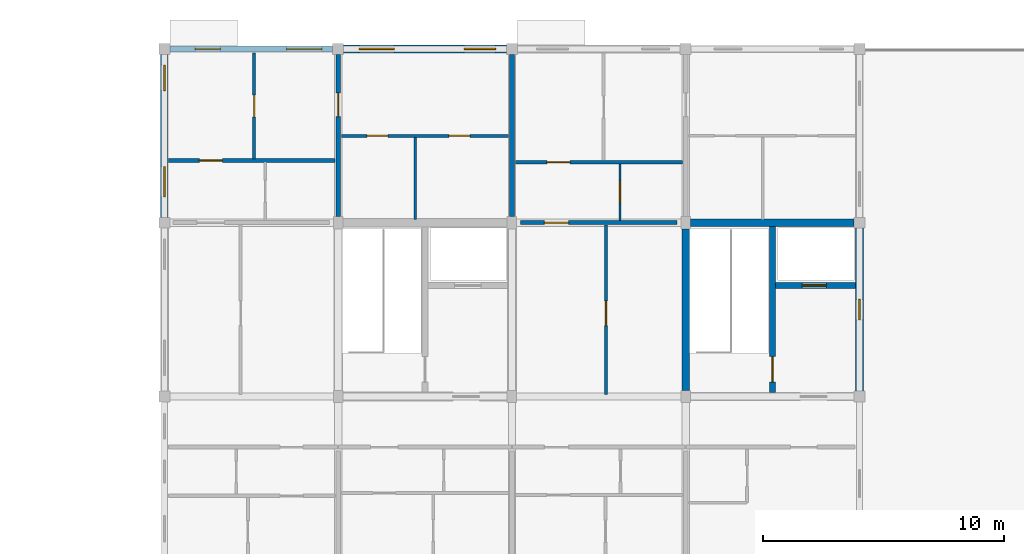
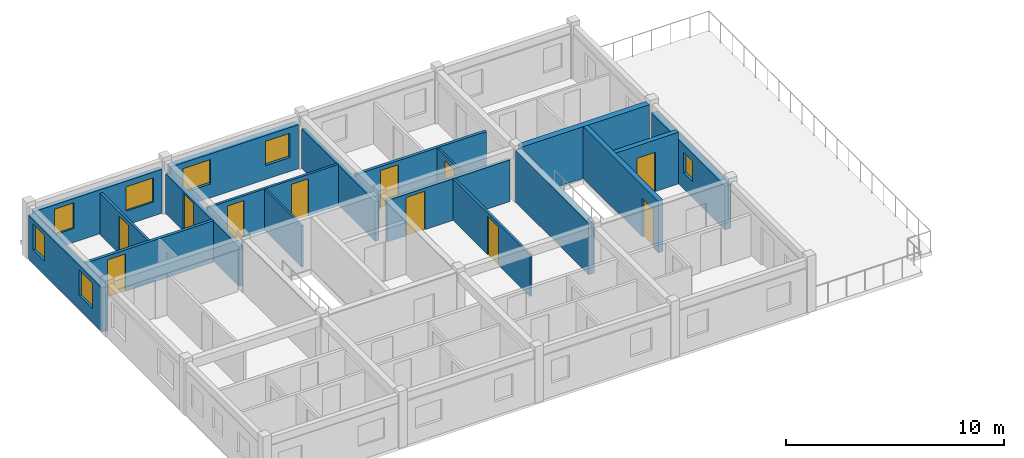
# One storey, part 19 of 23: 18 walls, 11 doors, 7 windows, 18 openings.
"""IFC4 building model written with IfcOpenShell, lengths in metres."""

from ifc_helpers import new_model, si_unit, direction, frame, frame_2d, origin, place, context, subcontext, project, spatial, rectangle, extrude, material, layer, layer_set, type_object, element, fill, save


model = new_model("IFC4")

# Units and contexts
model_context = context("Model", 3, precision=1e-05, world=origin(), true_north=direction((0.0, 1.0)))
body_context = subcontext(model_context, "Body", "Model", "MODEL_VIEW")
ifc_project = project(units=[si_unit("LENGTHUNIT", "METRE"), si_unit("AREAUNIT", "SQUARE_METRE"), si_unit("VOLUMEUNIT", "CUBIC_METRE"), si_unit("PLANEANGLEUNIT", "RADIAN"), si_unit("MASSUNIT", "GRAM", prefix="KILO"), si_unit("THERMODYNAMICTEMPERATUREUNIT", "KELVIN"), si_unit("POWERUNIT", "WATT")], contexts=[model_context])

# Site, building, storey
site_placement = place(None, origin())
site = spatial("IfcSite", under=ifc_project, at=site_placement, CompositionType="ELEMENT")
building_placement = place(site_placement, origin())
building = spatial("IfcBuilding", under=site, at=building_placement, Name="Tavuni Mirador Residences", CompositionType="ELEMENT")
storey_placement = place(building_placement, frame((0.0, 0.0, 42.300048828125)))
storey = spatial("IfcBuildingStorey", under=building, at=storey_placement, Name="L13", CompositionType="ELEMENT", Elevation=42.300048828125)

# Wall, opening, door
ifc_material_1 = material(Name="Precast concrete C40/50", Category="concrete")
ifc_layer_1 = layer(ifc_material_1, 0.25, Name="Precast concrete C40/50", Category="concrete")
ifc_layer_set_1 = layer_set([ifc_layer_1], Name="Precast concrete C40/50")
wall_type_1 = type_object("IfcWallType", Name="WT-COR250", PredefinedType="SHEAR", material=ifc_layer_set_1)
wall_1_placement = place(storey_placement, frame((43.199951171875, 158.56005859375, 0.0), z_axis=(0.0, 0.0, 1.0), x_axis=(0.0, 1.0, 0.0)))
wall_1 = element("IfcWall", 1, at=wall_1_placement, inside=storey, type_object=wall_type_1, Name="CWALL-C6-L13-MID", PredefinedType="SHEAR", context=body_context, shape_type="SweptSolid", body=[
    extrude(rectangle(XDim=6.8798828125, YDim=0.25, at=frame_2d((3.43994140625, 0.0))), origin(), (0.0, 0.0, 1.0), 2.889892578125),
])
opening_1_placement = place(wall_1_placement, frame((0.43994140625, 0.0, 0.0)))
opening_1 = element("IfcOpeningElement", 2, at=opening_1_placement, cuts=wall_1, Name="Opening D-01", PredefinedType="OPENING", context=body_context, shape_type="SweptSolid", body=[
    extrude(rectangle(XDim=1.050048828125, YDim=2.14990234375, at=frame_2d((0.52490234375, 1.074951171875))), frame((0.0, 0.135009765625, 0.0), z_axis=(0.0, -1.0, 0.0), x_axis=(1.0, 0.0, 0.0)), (0.0, 0.0, 1.0), 0.27001953125),
])
ifc_material_2 = material(Name="Solid core iroko timber", Category="wood")
door_type_1 = type_object("IfcDoorType", Name="DT-ST1050", OperationType="NOTDEFINED", PredefinedType="DOOR", material=ifc_material_2)
door_1_placement = place(opening_1_placement, origin())
door_1 = element("IfcDoor", 3, at=door_1_placement, inside=storey, type_object=door_type_1, Name="DR-2259", OperationType="SINGLE_SWING_LEFT", OverallHeight=2.14990234375, OverallWidth=1.050048828125, PredefinedType="DOOR", context=body_context, shape_type="SweptSolid", body=[
    extrude(rectangle(XDim=1.050048828125, YDim=2.14990234375, at=frame_2d((0.52490234375, 1.074951171875))), frame((0.0, 0.02490234375, 0.0), z_axis=(0.0, -1.0, 0.0), x_axis=(1.0, 0.0, 0.0)), (0.0, 0.0, 1.0), 0.050048828125),
])
fill(opening_1, door_1)

wall_2_placement = place(storey_placement, frame((43.324951171875, 163.0, 0.0), z_axis=(0.0, 0.0, 1.0), x_axis=(1.0, 0.0, 0.0)))
wall_2 = element("IfcWall", 4, at=wall_2_placement, inside=storey, type_object=wall_type_1, Name="CWALL-C6-L13-SHF", PredefinedType="SHEAR", context=body_context, shape_type="SweptSolid", body=[
    extrude(rectangle(XDim=3.31494140625, YDim=0.25, at=frame_2d((1.657470703125, 0.0))), origin(), (0.0, 0.0, 1.0), 2.889892578125),
])
opening_2_placement = place(wall_2_placement, frame((1.10009765625, 0.0, 0.0)))
opening_2 = element("IfcOpeningElement", 5, at=opening_2_placement, cuts=wall_2, Name="Opening LD-02", PredefinedType="OPENING", context=body_context, shape_type="SweptSolid", body=[
    extrude(rectangle(XDim=1.0, YDim=2.199951171875, at=frame_2d((0.5, 1.10009765625))), frame((0.0, 0.135009765625, 0.0), z_axis=(0.0, -1.0, 0.0), x_axis=(1.0, 0.0, 0.0)), (0.0, 0.0, 1.0), 0.27001953125),
])
ifc_material_3 = material(Name="Structural steel S355", Category="steel")
door_type_2 = type_object("IfcDoorType", Name="DT-LD-PAX", OperationType="SLIDING_TO_LEFT", PredefinedType="DOOR", material=ifc_material_3)
door_2_placement = place(opening_2_placement, origin())
door_2 = element("IfcDoor", 6, at=door_2_placement, inside=storey, type_object=door_type_2, Name="Lift landing door PL-C1 L13", OperationType="SLIDING_TO_LEFT", OverallHeight=2.199951171875, OverallWidth=1.0, PredefinedType="DOOR", context=body_context, shape_type="SweptSolid", body=[
    extrude(rectangle(XDim=1.0, YDim=2.199951171875, at=frame_2d((0.5, 1.10009765625))), frame((0.0, 0.02490234375, 0.0), z_axis=(0.0, -1.0, 0.0), x_axis=(1.0, 0.0, 0.0)), (0.0, 0.0, 1.0), 0.050048828125),
])
fill(opening_2, door_2)

# Walls
ifc_layer_2 = layer(ifc_material_1, 0.320068359375, Name="Precast concrete C40/50", Category="concrete")
ifc_layer_set_2 = layer_set([ifc_layer_2], Name="Precast concrete C40/50")
wall_type_2 = type_object("IfcWallType", Name="WT-COR320", PredefinedType="SHEAR", material=ifc_layer_set_2)
wall_3_placement = place(storey_placement, frame((39.60009765625, 158.64990234375, 0.0), z_axis=(0.0, 0.0, 1.0), x_axis=(0.0, 1.0, 0.0)))
element("IfcWall", 7, at=wall_3_placement, inside=storey, type_object=wall_type_2, Name="CWALL-C6-L13-W", PredefinedType="SHEAR", context=body_context, shape_type="SweptSolid", body=[
    extrude(rectangle(XDim=6.7001953125, YDim=0.320068359375, at=frame_2d((3.35009765625, 0.0))), origin(), (0.0, 0.0, 1.0), 2.889892578125),
])
wall_4_placement = place(storey_placement, frame((39.800048828125, 165.60009765625, 0.0), z_axis=(0.0, 0.0, 1.0), x_axis=(1.0, 0.0, 0.0)))
element("IfcWall", 8, at=wall_4_placement, inside=storey, type_object=wall_type_2, Name="CWALL-C6-L13-N", PredefinedType="SHEAR", context=body_context, shape_type="SweptSolid", body=[
    extrude(rectangle(XDim=6.77490234375, YDim=0.320068359375, at=frame_2d((3.387451171875, 0.0))), origin(), (0.0, 0.0, 1.0), 2.889892578125),
])

# Wall, opening, door
ifc_layer_3 = layer(ifc_material_1, 0.1650390625, Name="Precast concrete C40/50", Category="concrete")
ifc_layer_set_3 = layer_set([ifc_layer_3], Name="Precast concrete C40/50")
wall_type_3 = type_object("IfcWallType", Name="WT-CORR165", PredefinedType="PARTITIONING", material=ifc_layer_set_3)
wall_5_placement = place(storey_placement, frame((32.75, 165.60009765625, 0.0), z_axis=(0.0, 0.0, 1.0), x_axis=(1.0, 0.0, 0.0)))
wall_5 = element("IfcWall", 9, at=wall_5_placement, inside=storey, type_object=wall_type_3, Name="CORW-BLK-C-L13-1-02", PredefinedType="PARTITIONING", context=body_context, shape_type="SweptSolid", body=[
    extrude(rectangle(XDim=6.5, YDim=0.1650390625, at=frame_2d((3.25, 0.0))), origin(), (0.0, 0.0, 1.0), 2.324951171875),
])
opening_3_placement = place(wall_5_placement, frame((1.0, 0.0, 0.0)))
opening_3 = element("IfcOpeningElement", 10, at=opening_3_placement, cuts=wall_5, Name="Opening D-03", PredefinedType="OPENING", context=body_context, shape_type="SweptSolid", body=[
    extrude(rectangle(XDim=1.0, YDim=2.14990234375, at=frame_2d((0.5, 1.074951171875))), frame((0.0, 0.092529296875, 0.0), z_axis=(0.0, -1.0, 0.0), x_axis=(1.0, 0.0, 0.0)), (0.0, 0.0, 1.0), 0.18505859375),
])
door_type_3 = type_object("IfcDoorType", Name="DT-FD60-1000", OperationType="NOTDEFINED", PredefinedType="DOOR", material=ifc_material_2)
door_3_placement = place(opening_3_placement, origin())
door_3 = element("IfcDoor", 11, at=door_3_placement, inside=storey, type_object=door_type_3, Name="DR-2796", OperationType="SINGLE_SWING_LEFT", OverallHeight=2.14990234375, OverallWidth=1.0, PredefinedType="DOOR", context=body_context, shape_type="SweptSolid", body=[
    extrude(rectangle(XDim=1.0, YDim=2.14990234375, at=frame_2d((0.5, 1.074951171875))), frame((0.0, 0.02490234375, 0.0), z_axis=(0.0, -1.0, 0.0), x_axis=(1.0, 0.0, 0.0)), (0.0, 0.0, 1.0), 0.050048828125),
])
fill(opening_3, door_3)

# Wall, opening, window
ifc_layer_4 = layer(ifc_material_1, 0.330078125, Name="Precast concrete C40/50", Category="concrete")
ifc_layer_set_4 = layer_set([ifc_layer_4], Name="Precast concrete C40/50")
wall_type_4 = type_object("IfcWallType", Name="WT-EXT-COR330", PredefinedType="SOLIDWALL", material=ifc_layer_set_4)
wall_6_placement = place(storey_placement, frame((46.800048828125, 158.625, 0.0), z_axis=(0.0, 0.0, 1.0), x_axis=(0.0, 1.0, 0.0)))
wall_6 = element("IfcWall", 12, at=wall_6_placement, inside=storey, type_object=wall_type_4, Name="EW-BLK-C-L13-E01", PredefinedType="SOLIDWALL", context=body_context, shape_type="SweptSolid", body=[
    extrude(rectangle(XDim=6.75, YDim=0.330078125, at=frame_2d((3.375, 0.0))), origin(), (0.0, 0.0, 1.0), 2.4599609375),
])
opening_4_placement = place(wall_6_placement, frame((2.949951171875, 0.0, 0.89990234375)))
opening_4 = element("IfcOpeningElement", 13, at=opening_4_placement, cuts=wall_6, Name="Opening WN-01", PredefinedType="OPENING", context=body_context, shape_type="SweptSolid", body=[
    extrude(rectangle(XDim=0.85009765625, YDim=1.14990234375, at=frame_2d((0.425048828125, 0.574951171875))), frame((0.0, 0.175048828125, 0.0), z_axis=(0.0, -1.0, 0.0), x_axis=(1.0, 0.0, 0.0)), (0.0, 0.0, 1.0), 0.35009765625),
])
ifc_material_4 = material(Name="Laminated solar-control glass", Category="glass")
window_type_1 = type_object("IfcWindowType", Name="WNT-01", PartitioningType="SINGLE_PANEL", PredefinedType="WINDOW", material=ifc_material_4)
window_1_placement = place(opening_4_placement, origin())
window_1 = element("IfcWindow", 14, at=window_1_placement, inside=storey, type_object=window_type_1, Name="WIN-1381", OverallHeight=1.14990234375, OverallWidth=0.85009765625, PartitioningType="SINGLE_PANEL", PredefinedType="WINDOW", context=body_context, shape_type="SweptSolid", body=[
    extrude(rectangle(XDim=0.85009765625, YDim=1.14990234375, at=frame_2d((0.425048828125, 0.574951171875))), frame((0.0, 0.030029296875, 0.0), z_axis=(0.0, -1.0, 0.0), x_axis=(1.0, 0.0, 0.0)), (0.0, 0.0, 1.0), 0.06005859375),
])
fill(opening_4, window_1)

# Wall, openings, windows
wall_7_placement = place(storey_placement, frame((32.175048828125, 172.800048828125, 0.0), z_axis=(0.0, 0.0, 1.0), x_axis=(-1.0, 0.0, 0.0)))
wall_7 = element("IfcWall", 15, at=wall_7_placement, inside=storey, type_object=wall_type_4, Name="EW-BLK-C-L13-N01", PredefinedType="SOLIDWALL", context=body_context, shape_type="SweptSolid", body=[
    extrude(rectangle(XDim=6.75, YDim=0.330078125, at=frame_2d((3.375, 0.0))), origin(), (0.0, 0.0, 1.0), 2.4599609375),
])
opening_5_placement = place(wall_7_placement, frame((0.449951171875, 0.0, 0.780029296875)))
opening_5 = element("IfcOpeningElement", 16, at=opening_5_placement, cuts=wall_7, Name="Opening WN-22", PredefinedType="OPENING", context=body_context, shape_type="SweptSolid", body=[
    extrude(rectangle(XDim=1.300048828125, YDim=1.360107421875, at=frame_2d((0.64990234375, 0.68017578125))), frame((0.0, 0.175048828125, 0.0), z_axis=(0.0, -1.0, 0.0), x_axis=(1.0, 0.0, 0.0)), (0.0, 0.0, 1.0), 0.35009765625),
])
opening_6_placement = place(wall_7_placement, frame((4.64990234375, 0.0, 0.780029296875)))
opening_6 = element("IfcOpeningElement", 17, at=opening_6_placement, cuts=wall_7, Name="Opening WN-24", PredefinedType="OPENING", context=body_context, shape_type="SweptSolid", body=[
    extrude(rectangle(XDim=1.4599609375, YDim=1.360107421875, at=frame_2d((0.72998046875, 0.68017578125))), frame((0.0, 0.175048828125, 0.0), z_axis=(0.0, -1.0, 0.0), x_axis=(1.0, 0.0, 0.0)), (0.0, 0.0, 1.0), 0.35009765625),
])
window_type_2 = type_object("IfcWindowType", Name="WNT-22", PartitioningType="SINGLE_PANEL", PredefinedType="WINDOW", material=ifc_material_4)
window_2_placement = place(opening_5_placement, origin())
window_2 = element("IfcWindow", 18, at=window_2_placement, inside=storey, type_object=window_type_2, Name="WIN-1388", OverallHeight=1.360107421875, OverallWidth=1.300048828125, PartitioningType="SINGLE_PANEL", PredefinedType="WINDOW", context=body_context, shape_type="SweptSolid", body=[
    extrude(rectangle(XDim=1.300048828125, YDim=1.360107421875, at=frame_2d((0.64990234375, 0.68017578125))), frame((0.0, 0.030029296875, 0.0), z_axis=(0.0, -1.0, 0.0), x_axis=(1.0, 0.0, 0.0)), (0.0, 0.0, 1.0), 0.06005859375),
])
fill(opening_5, window_2)
window_type_3 = type_object("IfcWindowType", Name="WNT-24", PartitioningType="SINGLE_PANEL", PredefinedType="WINDOW", material=ifc_material_4)
window_3_placement = place(opening_6_placement, origin())
window_3 = element("IfcWindow", 19, at=window_3_placement, inside=storey, type_object=window_type_3, Name="WIN-1389", OverallHeight=1.360107421875, OverallWidth=1.4599609375, PartitioningType="SINGLE_PANEL", PredefinedType="WINDOW", context=body_context, shape_type="SweptSolid", body=[
    extrude(rectangle(XDim=1.4599609375, YDim=1.360107421875, at=frame_2d((0.72998046875, 0.68017578125))), frame((0.0, 0.030029296875, 0.0), z_axis=(0.0, -1.0, 0.0), x_axis=(1.0, 0.0, 0.0)), (0.0, 0.0, 1.0), 0.06005859375),
])
fill(opening_6, window_3)

ifc_material_5 = material(Name="Sgraffito lime-rendered precast concrete C40/50", Category="concrete")
ifc_layer_5 = layer(ifc_material_5, 0.2451171875, Name="Sgraffito lime-rendered precast concrete C40/50", Category="concrete")
ifc_layer_set_5 = layer_set([ifc_layer_5], Name="Sgraffito lime-rendered precast concrete C40/50")
wall_type_5 = type_object("IfcWallType", Name="WT-EXT-PC245", PredefinedType="SOLIDWALL", material=ifc_layer_set_5)
wall_8_placement = place(storey_placement, frame((24.97509765625, 172.800048828125, 0.0), z_axis=(0.0, 0.0, 1.0), x_axis=(-1.0, 0.0, 0.0)))
wall_8 = element("IfcWall", 20, at=wall_8_placement, inside=storey, type_object=wall_type_5, Name="EW-BLK-C-L13-N00", PredefinedType="SOLIDWALL", context=body_context, shape_type="SweptSolid", body=[
    extrude(rectangle(XDim=6.75, YDim=0.2451171875, at=frame_2d((3.375, 0.0))), origin(), (0.0, 0.0, 1.0), 2.4599609375),
])
opening_7_placement = place(wall_8_placement, frame((0.449951171875, 0.0, 0.780029296875)))
opening_7 = element("IfcOpeningElement", 21, at=opening_7_placement, cuts=wall_8, Name="Opening WN-24", PredefinedType="OPENING", context=body_context, shape_type="SweptSolid", body=[
    extrude(rectangle(XDim=1.4599609375, YDim=1.360107421875, at=frame_2d((0.72998046875, 0.68017578125))), frame((0.0, 0.132568359375, 0.0), z_axis=(0.0, -1.0, 0.0), x_axis=(1.0, 0.0, 0.0)), (0.0, 0.0, 1.0), 0.26513671875),
])
opening_8_placement = place(wall_8_placement, frame((4.64990234375, 0.0, 0.780029296875)))
opening_8 = element("IfcOpeningElement", 22, at=opening_8_placement, cuts=wall_8, Name="Opening WN-26", PredefinedType="OPENING", context=body_context, shape_type="SweptSolid", body=[
    extrude(rectangle(XDim=1.050048828125, YDim=1.43994140625, at=frame_2d((0.52490234375, 0.719970703125))), frame((0.0, 0.132568359375, 0.0), z_axis=(0.0, -1.0, 0.0), x_axis=(1.0, 0.0, 0.0)), (0.0, 0.0, 1.0), 0.26513671875),
])
window_4_placement = place(opening_7_placement, origin())
window_4 = element("IfcWindow", 23, at=window_4_placement, inside=storey, type_object=window_type_3, Name="WIN-1390", OverallHeight=1.360107421875, OverallWidth=1.4599609375, PartitioningType="SINGLE_PANEL", PredefinedType="WINDOW", context=body_context, shape_type="SweptSolid", body=[
    extrude(rectangle(XDim=1.4599609375, YDim=1.360107421875, at=frame_2d((0.72998046875, 0.68017578125))), frame((0.0, 0.030029296875, 0.0), z_axis=(0.0, -1.0, 0.0), x_axis=(1.0, 0.0, 0.0)), (0.0, 0.0, 1.0), 0.06005859375),
])
fill(opening_7, window_4)
window_type_4 = type_object("IfcWindowType", Name="WNT-26", PartitioningType="SINGLE_PANEL", PredefinedType="WINDOW", material=ifc_material_4)
window_5_placement = place(opening_8_placement, origin())
window_5 = element("IfcWindow", 24, at=window_5_placement, inside=storey, type_object=window_type_4, Name="WIN-1391", OverallHeight=1.43994140625, OverallWidth=1.050048828125, PartitioningType="SINGLE_PANEL", PredefinedType="WINDOW", context=body_context, shape_type="SweptSolid", body=[
    extrude(rectangle(XDim=1.050048828125, YDim=1.43994140625, at=frame_2d((0.52490234375, 0.719970703125))), frame((0.0, 0.030029296875, 0.0), z_axis=(0.0, -1.0, 0.0), x_axis=(1.0, 0.0, 0.0)), (0.0, 0.0, 1.0), 0.06005859375),
])
fill(opening_8, window_5)

ifc_layer_6 = layer(ifc_material_5, 0.31494140625, Name="Sgraffito lime-rendered precast concrete C40/50", Category="concrete")
ifc_layer_set_6 = layer_set([ifc_layer_6], Name="Sgraffito lime-rendered precast concrete C40/50")
wall_type_6 = type_object("IfcWallType", Name="WT-EXT-PC315", PredefinedType="SOLIDWALL", material=ifc_layer_set_6)
wall_9_placement = place(storey_placement, frame((18.0, 172.574951171875, 0.0), z_axis=(0.0, 0.0, 1.0), x_axis=(0.0, -1.0, 0.0)))
wall_9 = element("IfcWall", 25, at=wall_9_placement, inside=storey, type_object=wall_type_6, Name="EW-BLK-C-L13-W02", PredefinedType="SOLIDWALL", context=body_context, shape_type="SweptSolid", body=[
    extrude(rectangle(XDim=6.75, YDim=0.31494140625, at=frame_2d((3.375, 0.0))), origin(), (0.0, 0.0, 1.0), 2.4599609375),
])
opening_9_placement = place(wall_9_placement, frame((0.449951171875, 0.0, 0.780029296875)))
opening_9 = element("IfcOpeningElement", 26, at=opening_9_placement, cuts=wall_9, Name="Opening WN-26", PredefinedType="OPENING", context=body_context, shape_type="SweptSolid", body=[
    extrude(rectangle(XDim=1.050048828125, YDim=1.43994140625, at=frame_2d((0.52490234375, 0.719970703125))), frame((0.0, 0.16748046875, 0.0), z_axis=(0.0, -1.0, 0.0), x_axis=(1.0, 0.0, 0.0)), (0.0, 0.0, 1.0), 0.3349609375),
])
opening_10_placement = place(wall_9_placement, frame((4.64990234375, 0.0, 0.780029296875)))
opening_10 = element("IfcOpeningElement", 27, at=opening_10_placement, cuts=wall_9, Name="Opening WN-28", PredefinedType="OPENING", context=body_context, shape_type="SweptSolid", body=[
    extrude(rectangle(XDim=1.25, YDim=1.43994140625, at=frame_2d((0.625, 0.719970703125))), frame((0.0, 0.16748046875, 0.0), z_axis=(0.0, -1.0, 0.0), x_axis=(1.0, 0.0, 0.0)), (0.0, 0.0, 1.0), 0.3349609375),
])
window_6_placement = place(opening_9_placement, origin())
window_6 = element("IfcWindow", 28, at=window_6_placement, inside=storey, type_object=window_type_4, Name="WIN-1392", OverallHeight=1.43994140625, OverallWidth=1.050048828125, PartitioningType="SINGLE_PANEL", PredefinedType="WINDOW", context=body_context, shape_type="SweptSolid", body=[
    extrude(rectangle(XDim=1.050048828125, YDim=1.43994140625, at=frame_2d((0.52490234375, 0.719970703125))), frame((0.0, 0.030029296875, 0.0), z_axis=(0.0, -1.0, 0.0), x_axis=(1.0, 0.0, 0.0)), (0.0, 0.0, 1.0), 0.06005859375),
])
fill(opening_9, window_6)
window_type_5 = type_object("IfcWindowType", Name="WNT-28", PartitioningType="SINGLE_PANEL", PredefinedType="WINDOW", material=ifc_material_4)
window_7_placement = place(opening_10_placement, origin())
window_7 = element("IfcWindow", 29, at=window_7_placement, inside=storey, type_object=window_type_5, Name="WIN-1393", OverallHeight=1.43994140625, OverallWidth=1.25, PartitioningType="SINGLE_PANEL", PredefinedType="WINDOW", context=body_context, shape_type="SweptSolid", body=[
    extrude(rectangle(XDim=1.25, YDim=1.43994140625, at=frame_2d((0.625, 0.719970703125))), frame((0.0, 0.030029296875, 0.0), z_axis=(0.0, -1.0, 0.0), x_axis=(1.0, 0.0, 0.0)), (0.0, 0.0, 1.0), 0.06005859375),
])
fill(opening_10, window_7)

# Wall
ifc_material_6 = material(Name="Acoustic gypsum and concrete block partition", Category="concrete")
ifc_layer_7 = layer(ifc_material_6, 0.094970703125, Name="Acoustic gypsum and concrete block partition", Category="concrete")
ifc_layer_set_7 = layer_set([ifc_layer_7], Name="Acoustic gypsum and concrete block partition")
wall_type_7 = type_object("IfcWallType", Name="WT-PART095", PredefinedType="PARTITIONING", material=ifc_layer_set_7)
wall_10_placement = place(storey_placement, frame((28.39990234375, 165.739990234375, 0.0), z_axis=(0.0, 0.0, 1.0), x_axis=(0.0, 1.0, 0.0)))
element("IfcWall", 30, at=wall_10_placement, inside=storey, type_object=wall_type_7, Name="PW-BLK-C-L13-NC01-V", PredefinedType="PARTITIONING", context=body_context, shape_type="SweptSolid", body=[
    extrude(rectangle(XDim=3.389892578125, YDim=0.094970703125, at=frame_2d((1.69482421875, 0.0))), origin(), (0.0, 0.0, 1.0), 2.324951171875),
])

# Wall, opening, door
wall_11_placement = place(storey_placement, frame((36.8798828125, 165.68994140625, 0.0), z_axis=(0.0, 0.0, 1.0), x_axis=(0.0, 1.0, 0.0)))
wall_11 = element("IfcWall", 31, at=wall_11_placement, inside=storey, type_object=wall_type_7, Name="PW-BLK-C-L13-N02-IN1", PredefinedType="PARTITIONING", context=body_context, shape_type="SweptSolid", body=[
    extrude(rectangle(XDim=2.340087890625, YDim=0.094970703125, at=frame_2d((1.169921875, 0.0))), origin(), (0.0, 0.0, 1.0), 2.324951171875),
])
opening_11_placement = place(wall_11_placement, frame((0.719970703125, 0.0, 0.0)))
opening_11 = element("IfcOpeningElement", 32, at=opening_11_placement, cuts=wall_11, Name="Opening D-09", PredefinedType="OPENING", context=body_context, shape_type="SweptSolid", body=[
    extrude(rectangle(XDim=0.89990234375, YDim=2.050048828125, at=frame_2d((0.449951171875, 1.02490234375))), frame((0.0, 0.0576171875, 0.0), z_axis=(0.0, -1.0, 0.0), x_axis=(1.0, 0.0, 0.0)), (0.0, 0.0, 1.0), 0.114990234375),
])
door_type_4 = type_object("IfcDoorType", Name="DT-WC900", OperationType="NOTDEFINED", PredefinedType="DOOR", material=ifc_material_2)
door_4_placement = place(opening_11_placement, origin())
door_4 = element("IfcDoor", 33, at=door_4_placement, inside=storey, type_object=door_type_4, Name="DR-4275", OperationType="SINGLE_SWING_LEFT", OverallHeight=2.050048828125, OverallWidth=0.89990234375, PredefinedType="DOOR", context=body_context, shape_type="SweptSolid", body=[
    extrude(rectangle(XDim=0.89990234375, YDim=2.050048828125, at=frame_2d((0.449951171875, 1.02490234375))), frame((0.0, 0.02490234375, 0.0), z_axis=(0.0, -1.0, 0.0), x_axis=(1.0, 0.0, 0.0)), (0.0, 0.0, 1.0), 0.050048828125),
])
fill(opening_11, door_4)

ifc_layer_8 = layer(ifc_material_6, 0.125, Name="Acoustic gypsum and concrete block partition", Category="concrete")
ifc_layer_set_8 = layer_set([ifc_layer_8], Name="Acoustic gypsum and concrete block partition")
wall_type_8 = type_object("IfcWallType", Name="WT-PART125", PredefinedType="PARTITIONING", material=ifc_layer_set_8)
wall_12_placement = place(storey_placement, frame((21.719970703125, 168.25, 0.0), z_axis=(0.0, 0.0, 1.0), x_axis=(0.0, 1.0, 0.0)))
wall_12 = element("IfcWall", 34, at=wall_12_placement, inside=storey, type_object=wall_type_8, Name="PW-BLK-C-L13-N00-OUT", PredefinedType="PARTITIONING", context=body_context, shape_type="SweptSolid", body=[
    extrude(rectangle(XDim=4.375, YDim=0.125, at=frame_2d((2.1875, 0.0))), origin(), (0.0, 0.0, 1.0), 2.324951171875),
])
opening_12_placement = place(wall_12_placement, frame((1.737548828125, 0.0, 0.0)))
opening_12 = element("IfcOpeningElement", 35, at=opening_12_placement, cuts=wall_12, Name="Opening D-07", PredefinedType="OPENING", context=body_context, shape_type="SweptSolid", body=[
    extrude(rectangle(XDim=0.89990234375, YDim=2.10009765625, at=frame_2d((0.449951171875, 1.050048828125))), frame((0.0, 0.072509765625, 0.0), z_axis=(0.0, -1.0, 0.0), x_axis=(1.0, 0.0, 0.0)), (0.0, 0.0, 1.0), 0.14501953125),
])
door_type_5 = type_object("IfcDoorType", Name="DT-BED900", OperationType="NOTDEFINED", PredefinedType="DOOR", material=ifc_material_2)
door_5_placement = place(opening_12_placement, origin())
door_5 = element("IfcDoor", 36, at=door_5_placement, inside=storey, type_object=door_type_5, Name="DR-4262", OperationType="SINGLE_SWING_RIGHT", OverallHeight=2.10009765625, OverallWidth=0.89990234375, PredefinedType="DOOR", context=body_context, shape_type="SweptSolid", body=[
    extrude(rectangle(XDim=0.89990234375, YDim=2.10009765625, at=frame_2d((0.449951171875, 1.050048828125))), frame((0.0, 0.02490234375, 0.0), z_axis=(0.0, -1.0, 0.0), x_axis=(1.0, 0.0, 0.0)), (0.0, 0.0, 1.0), 0.050048828125),
])
fill(opening_12, door_5)

# Wall, openings, doors
wall_13_placement = place(storey_placement, frame((25.340087890625, 169.199951171875, 0.0), z_axis=(0.0, 0.0, 1.0), x_axis=(1.0, 0.0, 0.0)))
wall_13 = element("IfcWall", 37, at=wall_13_placement, inside=storey, type_object=wall_type_8, Name="PW-BLK-C-L13-NC01-M", PredefinedType="PARTITIONING", context=body_context, shape_type="SweptSolid", body=[
    extrude(rectangle(XDim=6.919921875, YDim=0.125, at=frame_2d((3.4599609375, 0.0))), origin(), (0.0, 0.0, 1.0), 2.324951171875),
])
opening_13_placement = place(wall_13_placement, frame((1.050048828125, 0.0, 0.0)))
opening_13 = element("IfcOpeningElement", 38, at=opening_13_placement, cuts=wall_13, Name="Opening D-10", PredefinedType="OPENING", context=body_context, shape_type="SweptSolid", body=[
    extrude(rectangle(XDim=0.8701171875, YDim=2.050048828125, at=frame_2d((0.43505859375, 1.02490234375))), frame((0.0, 0.072509765625, 0.0), z_axis=(0.0, -1.0, 0.0), x_axis=(1.0, 0.0, 0.0)), (0.0, 0.0, 1.0), 0.14501953125),
])
opening_14_placement = place(wall_13_placement, frame((4.449951171875, 0.0, 0.0)))
opening_14 = element("IfcOpeningElement", 39, at=opening_14_placement, cuts=wall_13, Name="Opening D-08", PredefinedType="OPENING", context=body_context, shape_type="SweptSolid", body=[
    extrude(rectangle(XDim=0.8798828125, YDim=2.080078125, at=frame_2d((0.43994140625, 1.0400390625))), frame((0.0, 0.072509765625, 0.0), z_axis=(0.0, -1.0, 0.0), x_axis=(1.0, 0.0, 0.0)), (0.0, 0.0, 1.0), 0.14501953125),
])
door_type_6 = type_object("IfcDoorType", Name="DT-BED880", OperationType="NOTDEFINED", PredefinedType="DOOR", material=ifc_material_2)
door_6_placement = place(opening_14_placement, origin())
door_6 = element("IfcDoor", 40, at=door_6_placement, inside=storey, type_object=door_type_6, Name="DR-4269", OperationType="SINGLE_SWING_RIGHT", OverallHeight=2.080078125, OverallWidth=0.8798828125, PredefinedType="DOOR", context=body_context, shape_type="SweptSolid", body=[
    extrude(rectangle(XDim=0.8798828125, YDim=2.080078125, at=frame_2d((0.43994140625, 1.0400390625))), frame((0.0, 0.02490234375, 0.0), z_axis=(0.0, -1.0, 0.0), x_axis=(1.0, 0.0, 0.0)), (0.0, 0.0, 1.0), 0.050048828125),
])
fill(opening_14, door_6)
door_type_7 = type_object("IfcDoorType", Name="DT-WC870", OperationType="NOTDEFINED", PredefinedType="DOOR", material=ifc_material_2)
door_7_placement = place(opening_13_placement, origin())
door_7 = element("IfcDoor", 41, at=door_7_placement, inside=storey, type_object=door_type_7, Name="DR-4268", OperationType="SINGLE_SWING_LEFT", OverallHeight=2.050048828125, OverallWidth=0.8701171875, PredefinedType="DOOR", context=body_context, shape_type="SweptSolid", body=[
    extrude(rectangle(XDim=0.8701171875, YDim=2.050048828125, at=frame_2d((0.43505859375, 1.02490234375))), frame((0.0, 0.02490234375, 0.0), z_axis=(0.0, -1.0, 0.0), x_axis=(1.0, 0.0, 0.0)), (0.0, 0.0, 1.0), 0.050048828125),
])
fill(opening_13, door_7)

# Wall, opening, door
wall_14_placement = place(storey_placement, frame((36.300048828125, 158.489990234375, 0.0), z_axis=(0.0, 0.0, 1.0), x_axis=(0.0, 1.0, 0.0)))
wall_14 = element("IfcWall", 42, at=wall_14_placement, inside=storey, type_object=wall_type_8, Name="PW-SPN-BLK-C-L13-02", PredefinedType="PARTITIONING", context=body_context, shape_type="SweptSolid", body=[
    extrude(rectangle(XDim=7.02001953125, YDim=0.125, at=frame_2d((3.510009765625, 0.0))), origin(), (0.0, 0.0, 1.0), 2.324951171875),
])
opening_15_placement = place(wall_14_placement, frame((2.85009765625, 0.0, 0.0)))
opening_15 = element("IfcOpeningElement", 43, at=opening_15_placement, cuts=wall_14, Name="Opening D-13", PredefinedType="OPENING", context=body_context, shape_type="SweptSolid", body=[
    extrude(rectangle(XDim=1.02001953125, YDim=2.14990234375, at=frame_2d((0.510009765625, 1.074951171875))), frame((0.0, 0.072509765625, 0.0), z_axis=(0.0, -1.0, 0.0), x_axis=(1.0, 0.0, 0.0)), (0.0, 0.0, 1.0), 0.14501953125),
])
door_type_8 = type_object("IfcDoorType", Name="DT-MTG1020", OperationType="NOTDEFINED", PredefinedType="DOOR", material=ifc_material_2)
door_8_placement = place(opening_15_placement, origin())
door_8 = element("IfcDoor", 44, at=door_8_placement, inside=storey, type_object=door_type_8, Name="DR-4270", OperationType="SINGLE_SWING_RIGHT", OverallHeight=2.14990234375, OverallWidth=1.02001953125, PredefinedType="DOOR", context=body_context, shape_type="SweptSolid", body=[
    extrude(rectangle(XDim=1.02001953125, YDim=2.14990234375, at=frame_2d((0.510009765625, 1.074951171875))), frame((0.0, 0.02490234375, 0.0), z_axis=(0.0, -1.0, 0.0), x_axis=(1.0, 0.0, 0.0)), (0.0, 0.0, 1.0), 0.050048828125),
])
fill(opening_15, door_8)

ifc_layer_9 = layer(ifc_material_6, 0.14990234375, Name="Acoustic gypsum and concrete block partition", Category="concrete")
ifc_layer_set_9 = layer_set([ifc_layer_9], Name="Acoustic gypsum and concrete block partition")
wall_type_9 = type_object("IfcWallType", Name="WT-PART150", PredefinedType="PARTITIONING", material=ifc_layer_set_9)
wall_15_placement = place(storey_placement, frame((18.175048828125, 168.179931640625, 0.0), z_axis=(0.0, 0.0, 1.0), x_axis=(1.0, 0.0, 0.0)))
wall_15 = element("IfcWall", 45, at=wall_15_placement, inside=storey, type_object=wall_type_9, Name="PW-BLK-C-L13-N00-MID", PredefinedType="PARTITIONING", context=body_context, shape_type="SweptSolid", body=[
    extrude(rectangle(XDim=6.885009765625, YDim=0.14990234375, at=frame_2d((3.4423828125, 0.0))), origin(), (0.0, 0.0, 1.0), 2.324951171875),
])
opening_16_placement = place(wall_15_placement, frame((1.27490234375, 0.0, 0.0)))
opening_16 = element("IfcOpeningElement", 46, at=opening_16_placement, cuts=wall_15, Name="Opening D-05", PredefinedType="OPENING", context=body_context, shape_type="SweptSolid", body=[
    extrude(rectangle(XDim=0.949951171875, YDim=2.10009765625, at=frame_2d((0.47509765625, 1.050048828125))), frame((0.0, 0.0849609375, 0.0), z_axis=(0.0, -1.0, 0.0), x_axis=(1.0, 0.0, 0.0)), (0.0, 0.0, 1.0), 0.169921875),
])
door_type_9 = type_object("IfcDoorType", Name="DT-INT950", OperationType="NOTDEFINED", PredefinedType="DOOR", material=ifc_material_2)
door_9_placement = place(opening_16_placement, origin())
door_9 = element("IfcDoor", 47, at=door_9_placement, inside=storey, type_object=door_type_9, Name="DR-4264", OperationType="SINGLE_SWING_LEFT", OverallHeight=2.10009765625, OverallWidth=0.949951171875, PredefinedType="DOOR", context=body_context, shape_type="SweptSolid", body=[
    extrude(rectangle(XDim=0.949951171875, YDim=2.10009765625, at=frame_2d((0.47509765625, 1.050048828125))), frame((0.0, 0.02490234375, 0.0), z_axis=(0.0, -1.0, 0.0), x_axis=(1.0, 0.0, 0.0)), (0.0, 0.0, 1.0), 0.050048828125),
])
fill(opening_16, door_9)

wall_16_placement = place(storey_placement, frame((32.5400390625, 168.10009765625, 0.0), z_axis=(0.0, 0.0, 1.0), x_axis=(1.0, 0.0, 0.0)))
wall_16 = element("IfcWall", 48, at=wall_16_placement, inside=storey, type_object=wall_type_9, Name="PW-BLK-C-L13-N02-MID", PredefinedType="PARTITIONING", context=body_context, shape_type="SweptSolid", body=[
    extrude(rectangle(XDim=6.919921875, YDim=0.14990234375, at=frame_2d((3.4599609375, 0.0))), origin(), (0.0, 0.0, 1.0), 2.324951171875),
])
opening_17_placement = place(wall_16_placement, frame((1.31005859375, 0.0, 0.0)))
opening_17 = element("IfcOpeningElement", 49, at=opening_17_placement, cuts=wall_16, Name="Opening D-05", PredefinedType="OPENING", context=body_context, shape_type="SweptSolid", body=[
    extrude(rectangle(XDim=0.949951171875, YDim=2.10009765625, at=frame_2d((0.47509765625, 1.050048828125))), frame((0.0, 0.0849609375, 0.0), z_axis=(0.0, -1.0, 0.0), x_axis=(1.0, 0.0, 0.0)), (0.0, 0.0, 1.0), 0.169921875),
])
door_10_placement = place(opening_17_placement, origin())
door_10 = element("IfcDoor", 50, at=door_10_placement, inside=storey, type_object=door_type_9, Name="DR-4276", OperationType="SINGLE_SWING_LEFT", OverallHeight=2.10009765625, OverallWidth=0.949951171875, PredefinedType="DOOR", context=body_context, shape_type="SweptSolid", body=[
    extrude(rectangle(XDim=0.949951171875, YDim=2.10009765625, at=frame_2d((0.47509765625, 1.050048828125))), frame((0.0, 0.02490234375, 0.0), z_axis=(0.0, -1.0, 0.0), x_axis=(1.0, 0.0, 0.0)), (0.0, 0.0, 1.0), 0.050048828125),
])
fill(opening_17, door_10)

ifc_layer_10 = layer(ifc_material_1, 0.195068359375, Name="Precast concrete C40/50", Category="concrete")
ifc_layer_set_10 = layer_set([ifc_layer_10], Name="Precast concrete C40/50")
wall_type_10 = type_object("IfcWallType", Name="WT-XW195", PredefinedType="SOLIDWALL", material=ifc_layer_set_10)
wall_17_placement = place(storey_placement, frame((25.199951171875, 165.85009765625, 0.0), z_axis=(0.0, 0.0, 1.0), x_axis=(0.0, 1.0, 0.0)))
wall_17 = element("IfcWall", 51, at=wall_17_placement, inside=storey, type_object=wall_type_10, Name="XW-BLK-C-L13-N-01", PredefinedType="SOLIDWALL", context=body_context, shape_type="SweptSolid", body=[
    extrude(rectangle(XDim=6.724853515625, YDim=0.195068359375, at=frame_2d((3.3623046875, 0.0))), origin(), (0.0, 0.0, 1.0), 2.219970703125),
])
opening_18_placement = place(wall_17_placement, frame((4.14990234375, 0.0, 0.0)))
opening_18 = element("IfcOpeningElement", 52, at=opening_18_placement, cuts=wall_17, Name="Opening D-04", PredefinedType="OPENING", context=body_context, shape_type="SweptSolid", body=[
    extrude(rectangle(XDim=0.97998046875, YDim=2.1201171875, at=frame_2d((0.489990234375, 1.06005859375))), frame((0.0, 0.107421875, 0.0), z_axis=(0.0, -1.0, 0.0), x_axis=(1.0, 0.0, 0.0)), (0.0, 0.0, 1.0), 0.215087890625),
])
door_type_10 = type_object("IfcDoorType", Name="DT-FD60-980", OperationType="NOTDEFINED", PredefinedType="DOOR", material=ifc_material_2)
door_11_placement = place(opening_18_placement, origin())
door_11 = element("IfcDoor", 53, at=door_11_placement, inside=storey, type_object=door_type_10, Name="DR-4754", OperationType="SINGLE_SWING_LEFT", OverallHeight=2.1201171875, OverallWidth=0.97998046875, PredefinedType="DOOR", context=body_context, shape_type="SweptSolid", body=[
    extrude(rectangle(XDim=0.97998046875, YDim=2.1201171875, at=frame_2d((0.489990234375, 1.06005859375))), frame((0.0, 0.02490234375, 0.0), z_axis=(0.0, -1.0, 0.0), x_axis=(1.0, 0.0, 0.0)), (0.0, 0.0, 1.0), 0.050048828125),
])
fill(opening_18, door_11)

# Wall
wall_18_placement = place(storey_placement, frame((32.39990234375, 165.85009765625, 0.0), z_axis=(0.0, 0.0, 1.0), x_axis=(0.0, 1.0, 0.0)))
element("IfcWall", 54, at=wall_18_placement, inside=storey, type_object=wall_type_10, Name="XW-BLK-C-L13-N-02", PredefinedType="SOLIDWALL", context=body_context, shape_type="SweptSolid", body=[
    extrude(rectangle(XDim=6.724853515625, YDim=0.195068359375, at=frame_2d((3.3623046875, 0.0))), origin(), (0.0, 0.0, 1.0), 2.219970703125),
])

save(model, "model.ifc")
